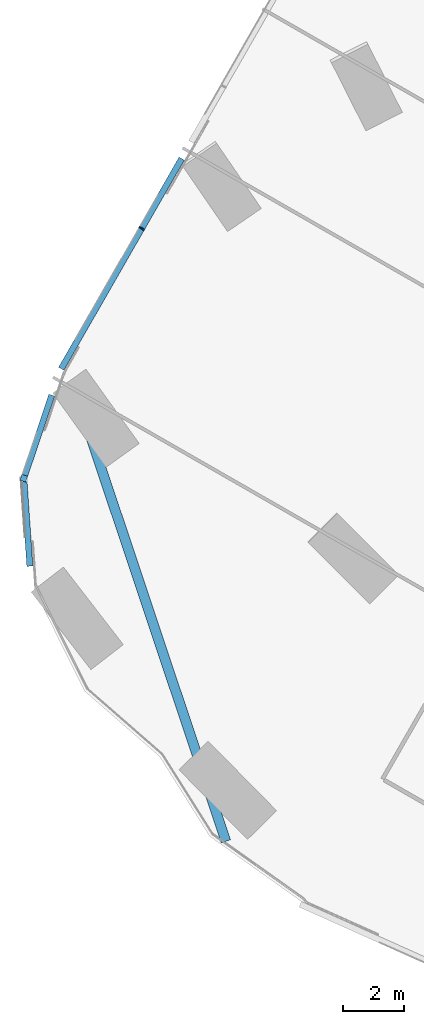
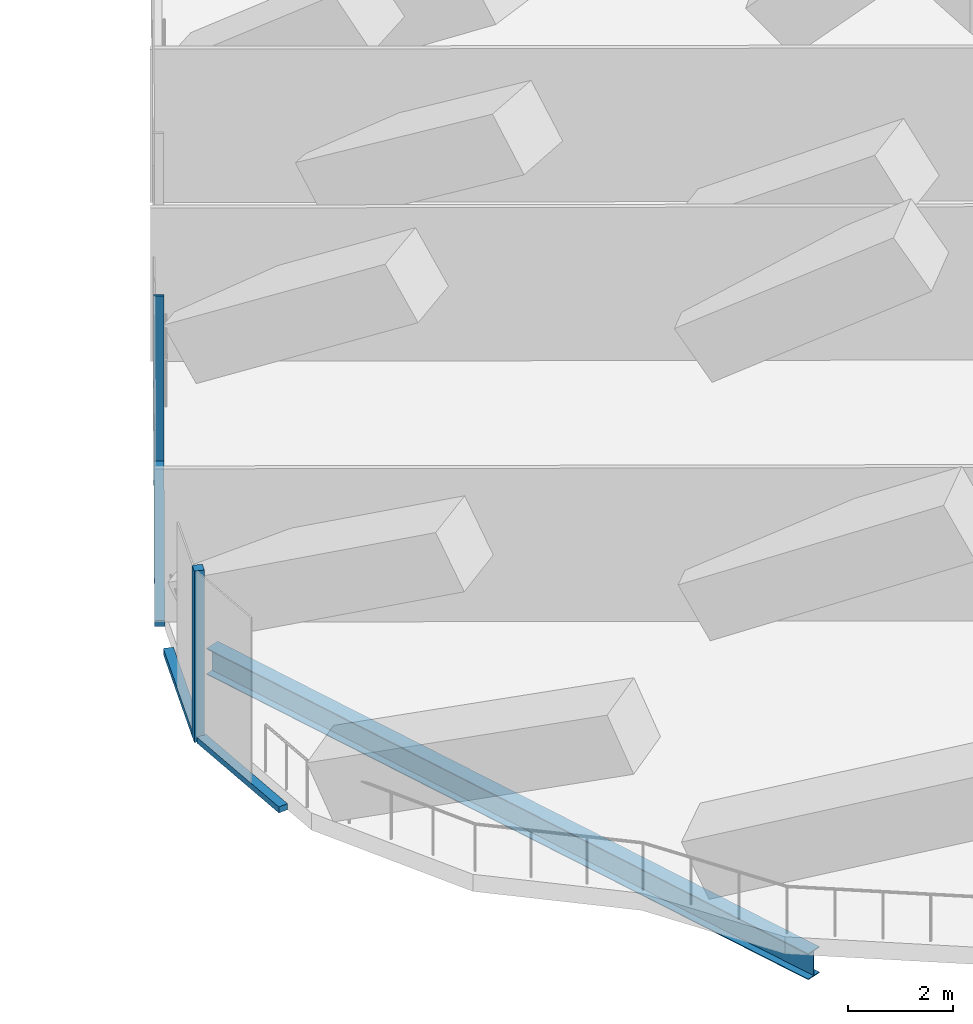
# One storey, part 4 of 37: 5 members, 1 beam, 3 elements without a shape of their own.
"""IFC4 building model written with IfcOpenShell, lengths in metres."""

from ifc_helpers import new_model, si_unit, direction, frame, origin, origin_2d, place, context, subcontext, project, spatial, rectangle, i_section, extrude, material, material_profile, profile_set, type_object, element, aggregate, save


model = new_model("IFC4")

# Units and contexts
model_context = context("Model", 3, precision=1e-05, world=origin(), true_north=direction((0.0, 1.0)))
body_context = subcontext(model_context, "Body", "Model", "MODEL_VIEW")
ifc_project = project(units=[si_unit("LENGTHUNIT", "METRE"), si_unit("AREAUNIT", "SQUARE_METRE"), si_unit("VOLUMEUNIT", "CUBIC_METRE"), si_unit("PLANEANGLEUNIT", "RADIAN"), si_unit("MASSUNIT", "GRAM", prefix="KILO")], contexts=[model_context])

# Site, building, storey
site_placement = place(None, origin())
site = spatial("IfcSite", under=ifc_project, at=site_placement, CompositionType="ELEMENT")
building_placement = place(site_placement, origin())
building = spatial("IfcBuilding", under=site, at=building_placement, Name="Orlundy Tower", CompositionType="ELEMENT")
storey_placement = place(building_placement, frame((0.0, 0.0, 119.699951171875)))
storey = spatial("IfcBuildingStorey", under=building, at=storey_placement, Name="L30", CompositionType="ELEMENT", Elevation=119.699951171875)

# Beam
ifc_material_1 = material(Name="Steel ASTM A992 Gr 50", Category="steel")
ifc_material_profile_1 = material_profile(ifc_material_1, i_section(OverallWidth=0.32373046875, OverallDepth=0.611083984375, WebThickness=0.0126953125, FlangeThickness=0.01904296875, at=origin_2d()), Name="W24X104")
ifc_profile_set_1 = profile_set([ifc_material_profile_1], Name="Steel ASTM A992 Gr 50")
beam_type = type_object("IfcBeamType", Name="CANTILEVER GIRDER beam W24X104", PredefinedType="BEAM", material=ifc_profile_set_1)
beam_placement = place(storey_placement, frame((-36.830810546875, -48.916748046875, -0.70556640625), z_axis=(-0.317037513711, 0.948412998066, 0.0), x_axis=(-0.948412998066, -0.317037513711, 0.0)))
element("IfcBeam", 1, at=beam_placement, inside=storey, type_object=beam_type, Name="Cantilever girder C-B2-5 L30", PredefinedType="BEAM", context=body_context, shape_type="SweptSolid", body=[
    extrude(i_section(OverallWidth=0.32373046875, OverallDepth=0.611083984375, WebThickness=0.0126953125, FlangeThickness=0.01904296875, at=origin_2d()), origin(), (0.0, 0.0, 1.0), 15.37451171875),
])

# Curtain wall, member
ifc_material_2 = material(Name="Aluminium bronze anodised", Category="aluminium")
curtain_wall_type = type_object("IfcCurtainWallType", Name="CW5 wall", PredefinedType="NOTDEFINED", material=ifc_material_2)
curtain_wall_1_placement = place(storey_placement, origin())
curtain_wall_1 = element("IfcCurtainWall", 2, at=curtain_wall_1_placement, inside=storey, type_object=curtain_wall_type, Name="CW5 run 041", PredefinedType="NOTDEFINED")
ifc_material_3 = material(Name="Aluminium bronze anodised", Category="aluminium")
ifc_material_profile_2 = material_profile(ifc_material_3, rectangle(XDim=0.199951171875, YDim=0.199951171875, at=origin_2d()), Name="CW5 corner post 200x200")
ifc_profile_set_2 = profile_set([ifc_material_profile_2], Name="Aluminium bronze anodised")
member_type_1 = type_object("IfcMemberType", Name="CW5 corner post 200x200", PredefinedType="MULLION", material=ifc_profile_set_2)
member_1_placement = place(storey_placement, frame((-43.506103515625, -36.925048828125, -0.39990234375), z_axis=(0.0, 0.0, 1.0), x_axis=(-0.947816641566, 0.318815956268, 0.0)))
member_1 = element("IfcMember", 3, at=member_1_placement, type_object=member_type_1, Name="CW5 mullion 69", PredefinedType="MULLION", context=body_context, shape_type="SweptSolid", body=[
    extrude(rectangle(XDim=0.199951171875, YDim=0.199951171875, at=origin_2d()), origin(), (0.0, 0.0, 1.0), 4.0),
])

curtain_wall_2_placement = place(storey_placement, origin())
curtain_wall_2 = element("IfcCurtainWall", 4, at=curtain_wall_2_placement, inside=storey, type_object=curtain_wall_type, Name="CW5 run 042", PredefinedType="NOTDEFINED")
ifc_material_4 = material(Name="Aluminium bronze anodised", Category="aluminium")
ifc_material_profile_3 = material_profile(ifc_material_4, rectangle(XDim=0.199951171875, YDim=0.050048828125, at=origin_2d()), Name="CW5 mullion 50x200")
ifc_profile_set_3 = profile_set([ifc_material_profile_3], Name="Aluminium bronze anodised")
member_type_2 = type_object("IfcMemberType", Name="CW5 mullion 50x200", PredefinedType="MULLION", material=ifc_profile_set_3)
member_2_placement = place(storey_placement, frame((-39.613037109375, -28.671630859375, -0.39990234375), z_axis=(0.0, 0.0, 1.0), x_axis=(-0.867479269634, 0.497473332708, 0.0)))
member_2 = element("IfcMember", 5, at=member_2_placement, type_object=member_type_2, Name="CW5 mullion 71", PredefinedType="MULLION", context=body_context, shape_type="SweptSolid", body=[
    extrude(rectangle(XDim=0.199951171875, YDim=0.050048828125, at=origin_2d()), origin(), (0.0, 0.0, 1.0), 4.0),
])

curtain_wall_3_placement = place(storey_placement, origin())
curtain_wall_3 = element("IfcCurtainWall", 6, at=curtain_wall_3_placement, inside=storey, type_object=curtain_wall_type, Name="CW5 run 040", PredefinedType="NOTDEFINED")
ifc_material_5 = material(Name="Aluminium bronze anodised", Category="aluminium")
ifc_material_profile_4 = material_profile(ifc_material_5, rectangle(XDim=0.199951171875, YDim=0.139892578125, at=origin_2d()), Name="CW5 transom 200x140")
ifc_profile_set_4 = profile_set([ifc_material_profile_4], Name="Aluminium bronze anodised")
member_type_3 = type_object("IfcMemberType", Name="CW5 transom 200x140", PredefinedType="USERDEFINED", material=ifc_profile_set_4)
member_3_placement = place(storey_placement, frame((-43.307373046875, -39.8291015625, -0.329833984375), z_axis=(-0.068293857957, 0.997665248951, 0.0), x_axis=(-0.997665248951, -0.068293857957, 0.0)))
member_3 = element("IfcMember", 7, at=member_3_placement, type_object=member_type_3, Name="CW5 transom", ObjectType="TRANSOM", PredefinedType="USERDEFINED", context=body_context, shape_type="SweptSolid", body=[
    extrude(rectangle(XDim=0.199951171875, YDim=0.139892578125, at=origin_2d()), origin(), (0.0, 0.0, 1.0), 2.802734375),
])
aggregate(curtain_wall_3, [member_3])

# Member
member_4_placement = place(storey_placement, frame((-43.474365234375, -36.830078125, -0.329833984375), z_axis=(0.318869974844, 0.947798469688, 0.0), x_axis=(-0.947798469688, 0.318869974844, 0.0)))
member_4 = element("IfcMember", 8, at=member_4_placement, type_object=member_type_3, Name="CW5 transom", ObjectType="TRANSOM", PredefinedType="USERDEFINED", context=body_context, shape_type="SweptSolid", body=[
    extrude(rectangle(XDim=0.199951171875, YDim=0.139892578125, at=origin_2d()), origin(), (0.0, 0.0, 1.0), 2.79833984375),
])

aggregate(curtain_wall_1, [member_1, member_4])

member_5_placement = place(storey_placement, frame((-42.2705078125, -33.305908203125, -0.329833984375), z_axis=(0.497466186736, 0.867483367595, 0.0), x_axis=(-0.867483367595, 0.497466186736, 0.0)))
member_5 = element("IfcMember", 9, at=member_5_placement, type_object=member_type_3, Name="CW5 transom", ObjectType="TRANSOM", PredefinedType="USERDEFINED", context=body_context, shape_type="SweptSolid", body=[
    extrude(rectangle(XDim=0.199951171875, YDim=0.139892578125, at=origin_2d()), origin(), (0.0, 0.0, 1.0), 7.99951171875),
])

aggregate(curtain_wall_2, [member_2, member_5])

save(model, "model.ifc")
